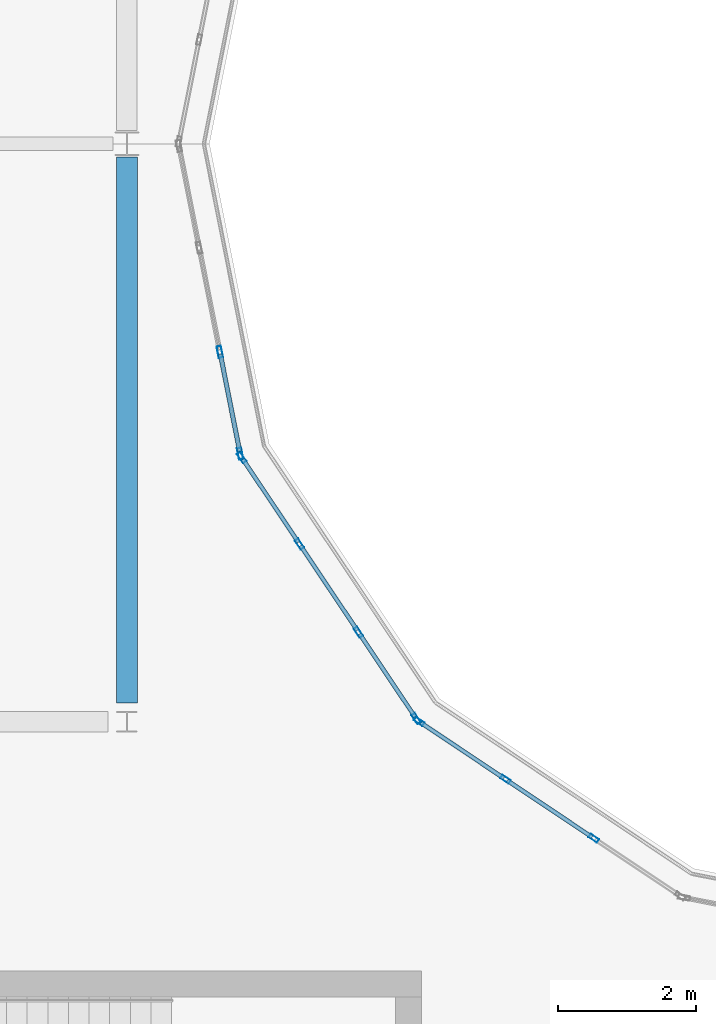
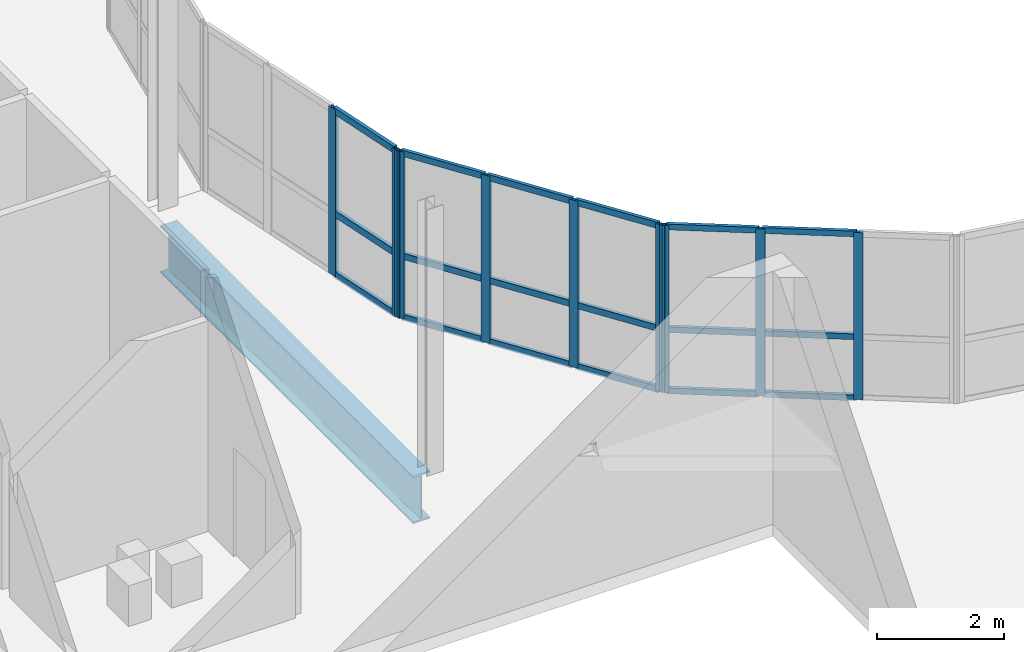
# One storey, part 16 of 91: 27 members, 1 beam, 3 elements without a shape of their own.
"""IFC4 building model written with IfcOpenShell, lengths in metres."""

from ifc_helpers import new_model, si_unit, direction, frame, origin, origin_2d, place, context, subcontext, project, spatial, hollow_rectangle, i_section, extrude, material, layer, layer_set, material_profile, profile_set, type_object, element, aggregate, save


model = new_model("IFC4")

# Units and contexts
model_context = context("Model", 3, precision=1e-05, world=origin(), true_north=direction((0.0, 1.0)))
body_context = subcontext(model_context, "Body", "Model", "MODEL_VIEW")
ifc_project = project(units=[si_unit("LENGTHUNIT", "METRE"), si_unit("AREAUNIT", "SQUARE_METRE"), si_unit("VOLUMEUNIT", "CUBIC_METRE"), si_unit("PLANEANGLEUNIT", "RADIAN"), si_unit("MASSUNIT", "GRAM", prefix="KILO"), si_unit("THERMODYNAMICTEMPERATUREUNIT", "KELVIN")], contexts=[model_context])

# Site, building, storey
site_placement = place(None, origin())
site = spatial("IfcSite", under=ifc_project, at=site_placement, CompositionType="ELEMENT")
building_placement = place(site_placement, origin())
building = spatial("IfcBuilding", under=site, at=building_placement, Name="Lustrewick Department Store", CompositionType="ELEMENT")
storey_placement = place(building_placement, frame((0.0, 0.0, 21.60009765625)))
storey = spatial("IfcBuildingStorey", under=building, at=storey_placement, Name="L05", CompositionType="ELEMENT", Elevation=21.60009765625)

# Curtain wall, members
ifc_material_1 = material(Name="Thermally broken aluminium 6063-T5", Category="aluminium")
ifc_layer_1 = layer(ifc_material_1, 0.169921875, Name="Thermally broken aluminium 6063-T5")
ifc_layer_set_1 = layer_set([ifc_layer_1], Name="Thermally broken aluminium 6063-T5")
curtain_wall_type_1 = type_object("IfcCurtainWallType", Name="CW16", PredefinedType="NOTDEFINED", material=ifc_layer_set_1)
curtain_wall_1_placement = place(storey_placement, origin())
curtain_wall_1 = element("IfcCurtainWall", 1, at=curtain_wall_1_placement, inside=storey, type_object=curtain_wall_type_1, Name="L05 Atrium Glazed Screen CW16", PredefinedType="NOTDEFINED")
ifc_material_profile_1 = material_profile(ifc_material_1, hollow_rectangle(XDim=0.06494140625, YDim=0.169921875, WallThickness=0.00390625, at=origin_2d()), Name="ALU-M 65x170x4")
ifc_profile_set_1 = profile_set([ifc_material_profile_1], Name="Thermally broken aluminium 6063-T5")
member_type_1 = type_object("IfcMemberType", Name="CW16-M1", PredefinedType="MULLION", material=ifc_profile_set_1)
member_1_placement = place(storey_placement, frame((18.1513671875, 64.1767578125, 0.0), z_axis=(0.0, 0.0, 1.0), x_axis=(0.980786430993, 0.195084537521, 0.0)))
member_1 = element("IfcMember", 2, at=member_1_placement, type_object=member_type_1, Name="CW16 mullion 3", PredefinedType="MULLION", context=body_context, shape_type="SweptSolid", body=[
    extrude(hollow_rectangle(XDim=0.06494140625, YDim=0.169921875, WallThickness=0.00390625, at=origin_2d()), origin(), (0.0, 0.0, 1.0), 3.199951171875),
])
member_2_placement = place(storey_placement, frame((18.445556640625, 62.697021484375, 0.0), z_axis=(0.0, 0.0, 1.0), x_axis=(0.980786430993, 0.195084537521, 0.0)))
member_2 = element("IfcMember", 3, at=member_2_placement, type_object=member_type_1, Name="CW16 mullion 4", PredefinedType="MULLION", context=body_context, shape_type="SweptSolid", body=[
    extrude(hollow_rectangle(XDim=0.06494140625, YDim=0.169921875, WallThickness=0.00390625, at=origin_2d()), origin(), (0.0, 0.0, 1.0), 3.199951171875),
])
ifc_material_profile_2 = material_profile(ifc_material_1, hollow_rectangle(XDim=0.06494140625, YDim=0.1298828125, WallThickness=0.00341796875, at=origin_2d()), Name="ALU-T 65x130x3.5")
ifc_profile_set_2 = profile_set([ifc_material_profile_2], Name="Thermally broken aluminium 6063-T5")
member_type_2 = type_object("IfcMemberType", Name="CW16-T1", PredefinedType="USERDEFINED", material=ifc_profile_set_2)
member_3_placement = place(storey_placement, frame((18.15771484375, 64.14501953125, 0.032470703125), z_axis=(0.19497779785, -0.980807656141, 0.0), x_axis=(0.980807656141, 0.19497779785, 0.0)))
member_3 = element("IfcMember", 4, at=member_3_placement, type_object=member_type_2, Name="CW16 transom 3.1", ObjectType="TRANSOM", PredefinedType="USERDEFINED", context=body_context, shape_type="SweptSolid", body=[
    extrude(hollow_rectangle(XDim=0.06494140625, YDim=0.1298828125, WallThickness=0.00341796875, at=origin_2d()), origin(), (0.0, 0.0, 1.0), 1.443603515625),
])
member_4_placement = place(storey_placement, frame((18.15771484375, 64.14501953125, 1.199951171875), z_axis=(0.19497779785, -0.980807656141, 0.0), x_axis=(0.980807656141, 0.19497779785, 0.0)))
member_4 = element("IfcMember", 5, at=member_4_placement, type_object=member_type_2, Name="CW16 transom 3.2", ObjectType="TRANSOM", PredefinedType="USERDEFINED", context=body_context, shape_type="SweptSolid", body=[
    extrude(hollow_rectangle(XDim=0.06494140625, YDim=0.1298828125, WallThickness=0.00341796875, at=origin_2d()), origin(), (0.0, 0.0, 1.0), 1.443603515625),
])
member_5_placement = place(storey_placement, frame((18.15771484375, 64.14501953125, 3.16748046875), z_axis=(0.19497779785, -0.980807656141, 0.0), x_axis=(0.980807656141, 0.19497779785, 0.0)))
member_5 = element("IfcMember", 6, at=member_5_placement, type_object=member_type_2, Name="CW16 transom 3.3", ObjectType="TRANSOM", PredefinedType="USERDEFINED", context=body_context, shape_type="SweptSolid", body=[
    extrude(hollow_rectangle(XDim=0.06494140625, YDim=0.1298828125, WallThickness=0.00341796875, at=origin_2d()), origin(), (0.0, 0.0, 1.0), 1.443603515625),
])
aggregate(curtain_wall_1, [member_1, member_2, member_3, member_4, member_5])

ifc_layer_2 = layer(ifc_material_1, 0.159912109375, Name="Thermally broken aluminium 6063-T5")
ifc_layer_set_2 = layer_set([ifc_layer_2], Name="Thermally broken aluminium 6063-T5")
curtain_wall_type_2 = type_object("IfcCurtainWallType", Name="CW17", PredefinedType="NOTDEFINED", material=ifc_layer_set_2)
curtain_wall_2_placement = place(storey_placement, origin())
curtain_wall_2 = element("IfcCurtainWall", 7, at=curtain_wall_2_placement, inside=storey, type_object=curtain_wall_type_2, Name="L05 Atrium Glazed Screen CW17", PredefinedType="NOTDEFINED")
ifc_material_profile_3 = material_profile(ifc_material_1, hollow_rectangle(XDim=0.06005859375, YDim=0.159912109375, WallThickness=0.00390625, at=origin_2d()), Name="ALU-M 60x160x4")
ifc_profile_set_3 = profile_set([ifc_material_profile_3], Name="Thermally broken aluminium 6063-T5")
member_type_3 = type_object("IfcMemberType", Name="CW17-M1", PredefinedType="MULLION", material=ifc_profile_set_3)
member_6_placement = place(storey_placement, frame((18.46875, 62.64013671875, 0.0), z_axis=(0.0, 0.0, 1.0), x_axis=(0.831464212799, 0.555578313862, 0.0)))
member_6 = element("IfcMember", 8, at=member_6_placement, type_object=member_type_3, Name="CW17 mullion 1", PredefinedType="MULLION", context=body_context, shape_type="SweptSolid", body=[
    extrude(hollow_rectangle(XDim=0.06005859375, YDim=0.159912109375, WallThickness=0.00390625, at=origin_2d()), origin(), (0.0, 0.0, 1.0), 3.199951171875),
])
member_7_placement = place(storey_placement, frame((19.308349609375, 61.3837890625, 0.0), z_axis=(0.0, 0.0, 1.0), x_axis=(0.831464212799, 0.555578313862, 0.0)))
member_7 = element("IfcMember", 9, at=member_7_placement, type_object=member_type_3, Name="CW17 mullion 2", PredefinedType="MULLION", context=body_context, shape_type="SweptSolid", body=[
    extrude(hollow_rectangle(XDim=0.06005859375, YDim=0.159912109375, WallThickness=0.00390625, at=origin_2d()), origin(), (0.0, 0.0, 1.0), 3.199951171875),
])
member_8_placement = place(storey_placement, frame((20.16455078125, 60.102294921875, 0.0), z_axis=(0.0, 0.0, 1.0), x_axis=(0.831464212799, 0.555578313862, 0.0)))
member_8 = element("IfcMember", 10, at=member_8_placement, type_object=member_type_3, Name="CW17 mullion 3", PredefinedType="MULLION", context=body_context, shape_type="SweptSolid", body=[
    extrude(hollow_rectangle(XDim=0.06005859375, YDim=0.159912109375, WallThickness=0.00390625, at=origin_2d()), origin(), (0.0, 0.0, 1.0), 3.199951171875),
])
member_9_placement = place(storey_placement, frame((21.004150390625, 58.845703125, 0.0), z_axis=(0.0, 0.0, 1.0), x_axis=(0.831464212799, 0.555578313862, 0.0)))
member_9 = element("IfcMember", 11, at=member_9_placement, type_object=member_type_3, Name="CW17 mullion 4", PredefinedType="MULLION", context=body_context, shape_type="SweptSolid", body=[
    extrude(hollow_rectangle(XDim=0.06005859375, YDim=0.159912109375, WallThickness=0.00390625, at=origin_2d()), origin(), (0.0, 0.0, 1.0), 3.199951171875),
])
ifc_material_profile_4 = material_profile(ifc_material_1, hollow_rectangle(XDim=0.06005859375, YDim=0.1201171875, WallThickness=0.00341796875, at=origin_2d()), Name="ALU-T 60x120x3.5")
ifc_profile_set_4 = profile_set([ifc_material_profile_4], Name="Thermally broken aluminium 6063-T5")
member_type_4 = type_object("IfcMemberType", Name="CW17-T1", PredefinedType="USERDEFINED", material=ifc_profile_set_4)
member_10_placement = place(storey_placement, frame((18.4853515625, 62.615234375, 0.02978515625), z_axis=(0.555554084832, -0.83148040195, 0.0), x_axis=(0.83148040195, 0.555554084832, 0.0)))
member_10 = element("IfcMember", 12, at=member_10_placement, type_object=member_type_4, Name="CW17 transom 1.1", ObjectType="TRANSOM", PredefinedType="USERDEFINED", context=body_context, shape_type="SweptSolid", body=[
    extrude(hollow_rectangle(XDim=0.06005859375, YDim=0.1201171875, WallThickness=0.00341796875, at=origin_2d()), origin(), (0.0, 0.0, 1.0), 1.451171875),
])
member_11_placement = place(storey_placement, frame((18.4853515625, 62.615234375, 1.199951171875), z_axis=(0.555554084832, -0.83148040195, 0.0), x_axis=(0.83148040195, 0.555554084832, 0.0)))
member_11 = element("IfcMember", 13, at=member_11_placement, type_object=member_type_4, Name="CW17 transom 1.2", ObjectType="TRANSOM", PredefinedType="USERDEFINED", context=body_context, shape_type="SweptSolid", body=[
    extrude(hollow_rectangle(XDim=0.06005859375, YDim=0.1201171875, WallThickness=0.00341796875, at=origin_2d()), origin(), (0.0, 0.0, 1.0), 1.451171875),
])
member_12_placement = place(storey_placement, frame((18.4853515625, 62.615234375, 3.169921875), z_axis=(0.555554084832, -0.83148040195, 0.0), x_axis=(0.83148040195, 0.555554084832, 0.0)))
member_12 = element("IfcMember", 14, at=member_12_placement, type_object=member_type_4, Name="CW17 transom 1.3", ObjectType="TRANSOM", PredefinedType="USERDEFINED", context=body_context, shape_type="SweptSolid", body=[
    extrude(hollow_rectangle(XDim=0.06005859375, YDim=0.1201171875, WallThickness=0.00341796875, at=origin_2d()), origin(), (0.0, 0.0, 1.0), 1.451171875),
])
member_13_placement = place(storey_placement, frame((19.324951171875, 61.35888671875, 0.02978515625), z_axis=(0.555574650661, -0.831466660512, 0.0), x_axis=(0.831466660512, 0.555574650661, 0.0)))
member_13 = element("IfcMember", 15, at=member_13_placement, type_object=member_type_4, Name="CW17 transom 2.1", ObjectType="TRANSOM", PredefinedType="USERDEFINED", context=body_context, shape_type="SweptSolid", body=[
    extrude(hollow_rectangle(XDim=0.06005859375, YDim=0.1201171875, WallThickness=0.00341796875, at=origin_2d()), origin(), (0.0, 0.0, 1.0), 1.4814453125),
])
member_14_placement = place(storey_placement, frame((19.324951171875, 61.35888671875, 1.199951171875), z_axis=(0.555574650661, -0.831466660512, 0.0), x_axis=(0.831466660512, 0.555574650661, 0.0)))
member_14 = element("IfcMember", 16, at=member_14_placement, type_object=member_type_4, Name="CW17 transom 2.2", ObjectType="TRANSOM", PredefinedType="USERDEFINED", context=body_context, shape_type="SweptSolid", body=[
    extrude(hollow_rectangle(XDim=0.06005859375, YDim=0.1201171875, WallThickness=0.00341796875, at=origin_2d()), origin(), (0.0, 0.0, 1.0), 1.4814453125),
])
member_15_placement = place(storey_placement, frame((19.324951171875, 61.35888671875, 3.169921875), z_axis=(0.555574650661, -0.831466660512, 0.0), x_axis=(0.831466660512, 0.555574650661, 0.0)))
member_15 = element("IfcMember", 17, at=member_15_placement, type_object=member_type_4, Name="CW17 transom 2.3", ObjectType="TRANSOM", PredefinedType="USERDEFINED", context=body_context, shape_type="SweptSolid", body=[
    extrude(hollow_rectangle(XDim=0.06005859375, YDim=0.1201171875, WallThickness=0.00341796875, at=origin_2d()), origin(), (0.0, 0.0, 1.0), 1.4814453125),
])
member_16_placement = place(storey_placement, frame((20.18115234375, 60.077392578125, 0.02978515625), z_axis=(0.55559267586, -0.831454616038, 0.0), x_axis=(0.831454616038, 0.55559267586, 0.0)))
member_16 = element("IfcMember", 18, at=member_16_placement, type_object=member_type_4, Name="CW17 transom 3.1", ObjectType="TRANSOM", PredefinedType="USERDEFINED", context=body_context, shape_type="SweptSolid", body=[
    extrude(hollow_rectangle(XDim=0.06005859375, YDim=0.1201171875, WallThickness=0.00341796875, at=origin_2d()), origin(), (0.0, 0.0, 1.0), 1.451416015625),
])
member_17_placement = place(storey_placement, frame((20.18115234375, 60.077392578125, 1.199951171875), z_axis=(0.55559267586, -0.831454616038, 0.0), x_axis=(0.831454616038, 0.55559267586, 0.0)))
member_17 = element("IfcMember", 19, at=member_17_placement, type_object=member_type_4, Name="CW17 transom 3.2", ObjectType="TRANSOM", PredefinedType="USERDEFINED", context=body_context, shape_type="SweptSolid", body=[
    extrude(hollow_rectangle(XDim=0.06005859375, YDim=0.1201171875, WallThickness=0.00341796875, at=origin_2d()), origin(), (0.0, 0.0, 1.0), 1.451416015625),
])
member_18_placement = place(storey_placement, frame((20.18115234375, 60.077392578125, 3.169921875), z_axis=(0.55559267586, -0.831454616038, 0.0), x_axis=(0.831454616038, 0.55559267586, 0.0)))
member_18 = element("IfcMember", 20, at=member_18_placement, type_object=member_type_4, Name="CW17 transom 3.3", ObjectType="TRANSOM", PredefinedType="USERDEFINED", context=body_context, shape_type="SweptSolid", body=[
    extrude(hollow_rectangle(XDim=0.06005859375, YDim=0.1201171875, WallThickness=0.00341796875, at=origin_2d()), origin(), (0.0, 0.0, 1.0), 1.451416015625),
])
aggregate(curtain_wall_2, [member_6, member_7, member_8, member_9, member_10, member_11, member_12, member_13, member_14, member_15, member_16, member_17, member_18])

ifc_layer_3 = layer(ifc_material_1, 0.14990234375, Name="Thermally broken aluminium 6063-T5")
ifc_layer_set_3 = layer_set([ifc_layer_3], Name="Thermally broken aluminium 6063-T5")
curtain_wall_type_3 = type_object("IfcCurtainWallType", Name="CW18", PredefinedType="NOTDEFINED", material=ifc_layer_set_3)
curtain_wall_3_placement = place(storey_placement, origin())
curtain_wall_3 = element("IfcCurtainWall", 21, at=curtain_wall_3_placement, inside=storey, type_object=curtain_wall_type_3, Name="L05 Atrium Glazed Screen CW18", PredefinedType="NOTDEFINED")
ifc_material_profile_5 = material_profile(ifc_material_1, hollow_rectangle(XDim=0.06005859375, YDim=0.14990234375, WallThickness=0.00341796875, at=origin_2d()), Name="ALU-M 60x150x3.5")
ifc_profile_set_5 = profile_set([ifc_material_profile_5], Name="Thermally broken aluminium 6063-T5")
member_type_5 = type_object("IfcMemberType", Name="CW18-M1", PredefinedType="MULLION", material=ifc_profile_set_5)
member_19_placement = place(storey_placement, frame((21.045654296875, 58.80419921875, 0.0), z_axis=(0.0, 0.0, 1.0), x_axis=(0.555578313862, 0.831464212799, 0.0)))
member_19 = element("IfcMember", 22, at=member_19_placement, type_object=member_type_5, Name="CW18 mullion 1", PredefinedType="MULLION", context=body_context, shape_type="SweptSolid", body=[
    extrude(hollow_rectangle(XDim=0.06005859375, YDim=0.14990234375, WallThickness=0.00341796875, at=origin_2d()), origin(), (0.0, 0.0, 1.0), 3.199951171875),
])
member_20_placement = place(storey_placement, frame((22.30224609375, 57.964599609375, 0.0), z_axis=(0.0, 0.0, 1.0), x_axis=(0.555578313862, 0.831464212799, 0.0)))
member_20 = element("IfcMember", 23, at=member_20_placement, type_object=member_type_5, Name="CW18 mullion 2", PredefinedType="MULLION", context=body_context, shape_type="SweptSolid", body=[
    extrude(hollow_rectangle(XDim=0.06005859375, YDim=0.14990234375, WallThickness=0.00341796875, at=origin_2d()), origin(), (0.0, 0.0, 1.0), 3.199951171875),
])
member_21_placement = place(storey_placement, frame((23.583740234375, 57.108154296875, 0.0), z_axis=(0.0, 0.0, 1.0), x_axis=(0.555578313862, 0.831464212799, 0.0)))
member_21 = element("IfcMember", 24, at=member_21_placement, type_object=member_type_5, Name="CW18 mullion 3", PredefinedType="MULLION", context=body_context, shape_type="SweptSolid", body=[
    extrude(hollow_rectangle(XDim=0.06005859375, YDim=0.14990234375, WallThickness=0.00341796875, at=origin_2d()), origin(), (0.0, 0.0, 1.0), 3.199951171875),
])
ifc_material_profile_6 = material_profile(ifc_material_1, hollow_rectangle(XDim=0.06005859375, YDim=0.110107421875, WallThickness=0.0029296875, at=origin_2d()), Name="ALU-T 60x110x3")
ifc_profile_set_6 = profile_set([ifc_material_profile_6], Name="Thermally broken aluminium 6063-T5")
member_type_6 = type_object("IfcMemberType", Name="CW18-T1", PredefinedType="USERDEFINED", material=ifc_profile_set_6)
member_22_placement = place(storey_placement, frame((21.07080078125, 58.787353515625, 0.02978515625), z_axis=(0.83148040195, -0.555554084832, 0.0), x_axis=(0.555554084832, 0.83148040195, 0.0)))
member_22 = element("IfcMember", 25, at=member_22_placement, type_object=member_type_6, Name="CW18 transom 1.1", ObjectType="TRANSOM", PredefinedType="USERDEFINED", context=body_context, shape_type="SweptSolid", body=[
    extrude(hollow_rectangle(XDim=0.06005859375, YDim=0.110107421875, WallThickness=0.0029296875, at=origin_2d()), origin(), (0.0, 0.0, 1.0), 1.451171875),
])
member_23_placement = place(storey_placement, frame((21.07080078125, 58.787353515625, 1.199951171875), z_axis=(0.83148040195, -0.555554084832, 0.0), x_axis=(0.555554084832, 0.83148040195, 0.0)))
member_23 = element("IfcMember", 26, at=member_23_placement, type_object=member_type_6, Name="CW18 transom 1.2", ObjectType="TRANSOM", PredefinedType="USERDEFINED", context=body_context, shape_type="SweptSolid", body=[
    extrude(hollow_rectangle(XDim=0.06005859375, YDim=0.110107421875, WallThickness=0.0029296875, at=origin_2d()), origin(), (0.0, 0.0, 1.0), 1.451171875),
])
member_24_placement = place(storey_placement, frame((21.07080078125, 58.787353515625, 3.169921875), z_axis=(0.83148040195, -0.555554084832, 0.0), x_axis=(0.555554084832, 0.83148040195, 0.0)))
member_24 = element("IfcMember", 27, at=member_24_placement, type_object=member_type_6, Name="CW18 transom 1.3", ObjectType="TRANSOM", PredefinedType="USERDEFINED", context=body_context, shape_type="SweptSolid", body=[
    extrude(hollow_rectangle(XDim=0.06005859375, YDim=0.110107421875, WallThickness=0.0029296875, at=origin_2d()), origin(), (0.0, 0.0, 1.0), 1.451171875),
])
member_25_placement = place(storey_placement, frame((22.3271484375, 57.94775390625, 0.02978515625), z_axis=(0.831542792322, -0.555460695763, 0.0), x_axis=(0.555460695763, 0.831542792322, 0.0)))
member_25 = element("IfcMember", 28, at=member_25_placement, type_object=member_type_6, Name="CW18 transom 2.1", ObjectType="TRANSOM", PredefinedType="USERDEFINED", context=body_context, shape_type="SweptSolid", body=[
    extrude(hollow_rectangle(XDim=0.06005859375, YDim=0.110107421875, WallThickness=0.0029296875, at=origin_2d()), origin(), (0.0, 0.0, 1.0), 1.481201171875),
])
member_26_placement = place(storey_placement, frame((22.3271484375, 57.94775390625, 1.199951171875), z_axis=(0.831542792322, -0.555460695763, 0.0), x_axis=(0.555460695763, 0.831542792322, 0.0)))
member_26 = element("IfcMember", 29, at=member_26_placement, type_object=member_type_6, Name="CW18 transom 2.2", ObjectType="TRANSOM", PredefinedType="USERDEFINED", context=body_context, shape_type="SweptSolid", body=[
    extrude(hollow_rectangle(XDim=0.06005859375, YDim=0.110107421875, WallThickness=0.0029296875, at=origin_2d()), origin(), (0.0, 0.0, 1.0), 1.481201171875),
])
member_27_placement = place(storey_placement, frame((22.3271484375, 57.94775390625, 3.169921875), z_axis=(0.831542792322, -0.555460695763, 0.0), x_axis=(0.555460695763, 0.831542792322, 0.0)))
member_27 = element("IfcMember", 30, at=member_27_placement, type_object=member_type_6, Name="CW18 transom 2.3", ObjectType="TRANSOM", PredefinedType="USERDEFINED", context=body_context, shape_type="SweptSolid", body=[
    extrude(hollow_rectangle(XDim=0.06005859375, YDim=0.110107421875, WallThickness=0.0029296875, at=origin_2d()), origin(), (0.0, 0.0, 1.0), 1.481201171875),
])
aggregate(curtain_wall_3, [member_19, member_20, member_21, member_22, member_23, member_24, member_25, member_26, member_27])

# Beam
ifc_material_2 = material(Name="Structural steel Q355C", Category="steel")
ifc_material_profile_7 = material_profile(ifc_material_2, i_section(OverallWidth=0.302001953125, OverallDepth=0.912109375, WebThickness=0.01806640625, FlangeThickness=0.033935546875, FilletRadius=0.02392578125, at=origin_2d()), Name="HN 912x302x18x34")
ifc_profile_set_7 = profile_set([ifc_material_profile_7], Name="Structural steel Q355C")
beam_type = type_object("IfcBeamType", Name="G01", PredefinedType="BEAM", material=ifc_profile_set_7)
beam_placement = place(storey_placement, frame((16.800048828125, 59.074951171875, -0.711181640625), z_axis=(0.0, 1.0, 0.0), x_axis=(-1.0, 0.0, 0.0)))
element("IfcBeam", 31, at=beam_placement, inside=storey, type_object=beam_type, Name="L05 V1 Girder G01", PredefinedType="BEAM", context=body_context, shape_type="SweptSolid", body=[
    extrude(i_section(OverallWidth=0.302001953125, OverallDepth=0.912109375, WebThickness=0.01806640625, FlangeThickness=0.033935546875, FilletRadius=0.02392578125, at=origin_2d()), origin(), (0.0, 0.0, 1.0), 7.93115234375),
])

save(model, "model.ifc")
